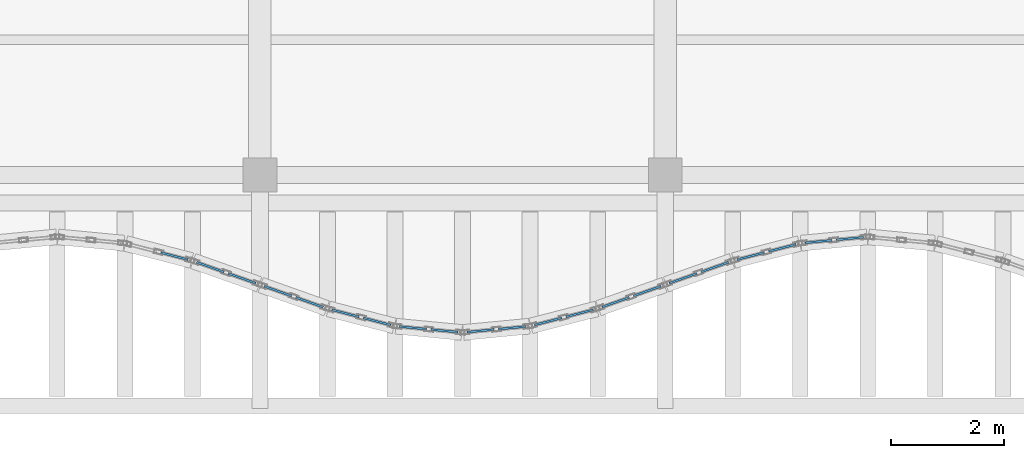
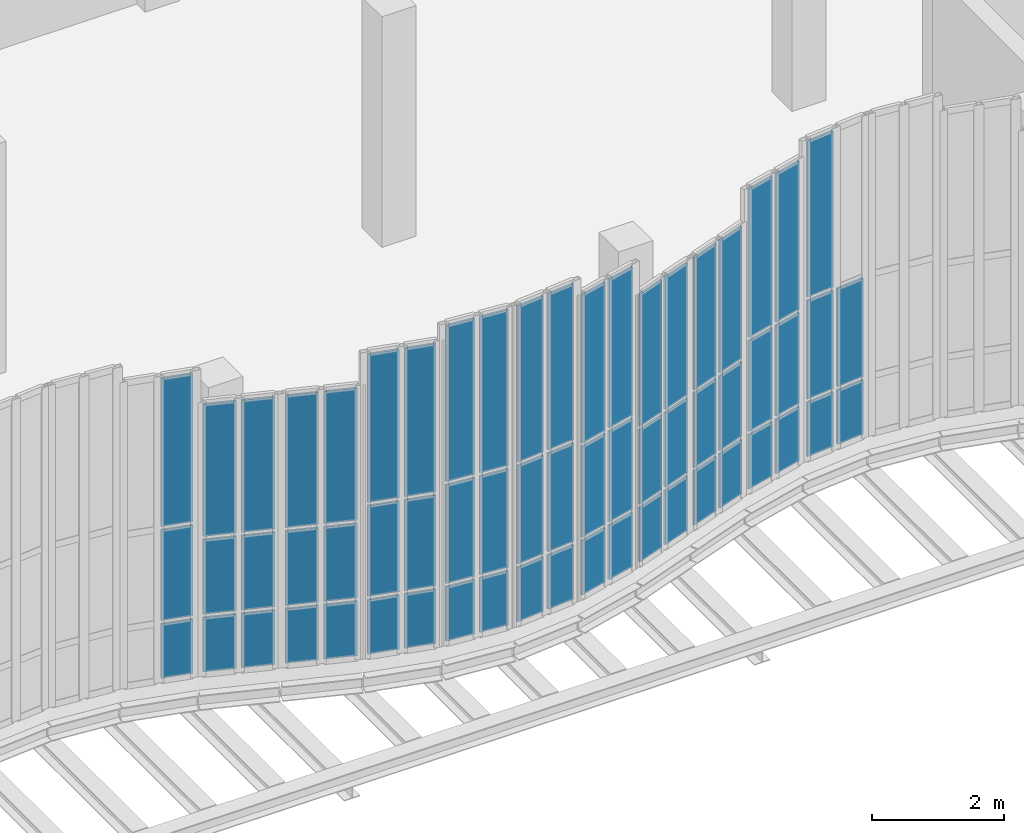
# One storey, part 50 of 76: 62 plates, 11 elements without a shape of their own.
"""IFC4 building model written with IfcOpenShell, lengths in metres."""

from ifc_helpers import new_model, si_unit, direction, frame, origin, origin_2d, place, context, subcontext, project, spatial, rectangle, extrude, material, layer, layer_set, type_object, element, aggregate, save


model = new_model("IFC4")

# Units and contexts
model_context = context("Model", 3, precision=1e-05, world=origin(), true_north=direction((0.0, 1.0)))
body_context = subcontext(model_context, "Body", "Model", "MODEL_VIEW")
ifc_project = project(units=[si_unit("LENGTHUNIT", "METRE"), si_unit("AREAUNIT", "SQUARE_METRE"), si_unit("VOLUMEUNIT", "CUBIC_METRE"), si_unit("PLANEANGLEUNIT", "RADIAN"), si_unit("MASSUNIT", "GRAM", prefix="KILO"), si_unit("THERMODYNAMICTEMPERATUREUNIT", "KELVIN"), si_unit("POWERUNIT", "WATT")], contexts=[model_context])

# Site, building, storey
site_placement = place(None, origin())
site = spatial("IfcSite", under=ifc_project, at=site_placement, CompositionType="ELEMENT")
building_placement = place(site_placement, origin())
building = spatial("IfcBuilding", under=site, at=building_placement, Name="Kaldorven Railside Theatre", CompositionType="ELEMENT")
storey_placement = place(building_placement, frame((0.0, 0.0, 14.39990234375)))
storey = spatial("IfcBuildingStorey", under=building, at=storey_placement, Name="L03", CompositionType="ELEMENT", Elevation=14.39990234375)

# Curtain wall, plates
ifc_material = material(Name="Low-E laminated solar-control glass", Category="glass")
ifc_layer_1 = layer(ifc_material, 0.159912109375, Name="Low-E laminated solar-control glass")
ifc_layer_set_1 = layer_set([ifc_layer_1], Name="Low-E laminated solar-control glass")
curtain_wall_type_1 = type_object("IfcCurtainWallType", Name="CWT-09", PredefinedType="USERDEFINED", material=ifc_layer_set_1)
curtain_wall_1_placement = place(storey_placement, origin())
curtain_wall_1 = element("IfcCurtainWall", 1, at=curtain_wall_1_placement, inside=storey, type_object=curtain_wall_type_1, Name="Sinusoidal Fluted Curtain Wall CW-L03-S05", ObjectType="FLUTED GLAZING", PredefinedType="USERDEFINED")
ifc_layer_2 = layer(ifc_material, 0.035888671875, Name="Low-E laminated solar-control glass")
ifc_layer_set_2 = layer_set([ifc_layer_2], Name="Low-E laminated solar-control glass")
plate_type = type_object("IfcPlateType", Name="CWP-CREST36", PredefinedType="CURTAIN_PANEL", material=ifc_layer_set_2)
plate_1_placement = place(storey_placement, frame((42.480712890625, 17.7578125, 0.06005859375), z_axis=(0.0, 0.0, 1.0), x_axis=(0.967999075505, -0.250953760326, 0.0)))
plate_1 = element("IfcPlate", 2, at=plate_1_placement, type_object=plate_type, Name="CW-L03-S05 panel 2.1", PredefinedType="CURTAIN_PANEL", context=body_context, shape_type="SweptSolid", body=[
    extrude(rectangle(XDim=0.499755859375, YDim=0.035888671875, at=origin_2d()), origin(), (0.0, 0.0, 1.0), 1.010009765625),
])
plate_2_placement = place(storey_placement, frame((42.480712890625, 17.7578125, 1.130126953125), z_axis=(0.0, 0.0, 1.0), x_axis=(0.967999075505, -0.250953760326, 0.0)))
plate_2 = element("IfcPlate", 3, at=plate_2_placement, type_object=plate_type, Name="CW-L03-S05 panel 2.2", PredefinedType="CURTAIN_PANEL", context=body_context, shape_type="SweptSolid", body=[
    extrude(rectangle(XDim=0.499755859375, YDim=0.035888671875, at=origin_2d()), origin(), (0.0, 0.0, 1.0), 1.68505859375),
])
plate_3_placement = place(storey_placement, frame((42.480712890625, 17.7578125, 2.875244140625), z_axis=(0.0, 0.0, 1.0), x_axis=(0.967999075505, -0.250953760326, 0.0)))
plate_3 = element("IfcPlate", 4, at=plate_3_placement, type_object=plate_type, Name="CW-L03-S05 panel 2.3", PredefinedType="CURTAIN_PANEL", context=body_context, shape_type="SweptSolid", body=[
    extrude(rectangle(XDim=0.499755859375, YDim=0.035888671875, at=origin_2d()), origin(), (0.0, 0.0, 1.0), 2.7548828125),
])
aggregate(curtain_wall_1, [plate_1, plate_2, plate_3])

ifc_layer_3 = layer(ifc_material, 0.159912109375, Name="Low-E laminated solar-control glass")
ifc_layer_set_3 = layer_set([ifc_layer_3], Name="Low-E laminated solar-control glass")
curtain_wall_type_2 = type_object("IfcCurtainWallType", Name="CWT-08", PredefinedType="USERDEFINED", material=ifc_layer_set_3)
curtain_wall_2_placement = place(storey_placement, origin())
curtain_wall_2 = element("IfcCurtainWall", 5, at=curtain_wall_2_placement, inside=storey, type_object=curtain_wall_type_2, Name="Sinusoidal Fluted Curtain Wall CW-L03-S06", ObjectType="FLUTED GLAZING", PredefinedType="USERDEFINED")
plate_4_placement = place(storey_placement, frame((43.118896484375, 17.56201171875, 0.06005859375), z_axis=(0.0, 0.0, 1.0), x_axis=(0.942627225159, -0.33384714225, 0.0)))
plate_4 = element("IfcPlate", 6, at=plate_4_placement, type_object=plate_type, Name="CW-L03-S06 panel 1.1", PredefinedType="CURTAIN_PANEL", context=body_context, shape_type="SweptSolid", body=[
    extrude(rectangle(XDim=0.5166015625, YDim=0.035888671875, at=origin_2d()), origin(), (0.0, 0.0, 1.0), 1.010009765625),
])
plate_5_placement = place(storey_placement, frame((43.118896484375, 17.56201171875, 1.1298828125), z_axis=(0.0, 0.0, 1.0), x_axis=(0.942627225159, -0.33384714225, 0.0)))
plate_5 = element("IfcPlate", 7, at=plate_5_placement, type_object=plate_type, Name="CW-L03-S06 panel 1.2", PredefinedType="CURTAIN_PANEL", context=body_context, shape_type="SweptSolid", body=[
    extrude(rectangle(XDim=0.5166015625, YDim=0.035888671875, at=origin_2d()), origin(), (0.0, 0.0, 1.0), 1.385009765625),
])
plate_6_placement = place(storey_placement, frame((43.118896484375, 17.56201171875, 2.574951171875), z_axis=(0.0, 0.0, 1.0), x_axis=(0.942627225159, -0.33384714225, 0.0)))
plate_6 = element("IfcPlate", 8, at=plate_6_placement, type_object=plate_type, Name="CW-L03-S06 panel 1.3", PredefinedType="CURTAIN_PANEL", context=body_context, shape_type="SweptSolid", body=[
    extrude(rectangle(XDim=0.5166015625, YDim=0.035888671875, at=origin_2d()), origin(), (0.0, 0.0, 1.0), 2.455078125),
])
plate_7_placement = place(storey_placement, frame((43.68115234375, 17.363037109375, 0.06005859375), z_axis=(0.0, 0.0, 1.0), x_axis=(0.942627225159, -0.33384714225, 0.0)))
plate_7 = element("IfcPlate", 9, at=plate_7_placement, type_object=plate_type, Name="CW-L03-S06 panel 2.1", PredefinedType="CURTAIN_PANEL", context=body_context, shape_type="SweptSolid", body=[
    extrude(rectangle(XDim=0.5166015625, YDim=0.035888671875, at=origin_2d()), origin(), (0.0, 0.0, 1.0), 1.010009765625),
])
plate_8_placement = place(storey_placement, frame((43.68115234375, 17.363037109375, 1.1298828125), z_axis=(0.0, 0.0, 1.0), x_axis=(0.942627225159, -0.33384714225, 0.0)))
plate_8 = element("IfcPlate", 10, at=plate_8_placement, type_object=plate_type, Name="CW-L03-S06 panel 2.2", PredefinedType="CURTAIN_PANEL", context=body_context, shape_type="SweptSolid", body=[
    extrude(rectangle(XDim=0.5166015625, YDim=0.035888671875, at=origin_2d()), origin(), (0.0, 0.0, 1.0), 1.385009765625),
])
plate_9_placement = place(storey_placement, frame((43.68115234375, 17.363037109375, 2.574951171875), z_axis=(0.0, 0.0, 1.0), x_axis=(0.942627225159, -0.33384714225, 0.0)))
plate_9 = element("IfcPlate", 11, at=plate_9_placement, type_object=plate_type, Name="CW-L03-S06 panel 2.3", PredefinedType="CURTAIN_PANEL", context=body_context, shape_type="SweptSolid", body=[
    extrude(rectangle(XDim=0.5166015625, YDim=0.035888671875, at=origin_2d()), origin(), (0.0, 0.0, 1.0), 2.455078125),
])
aggregate(curtain_wall_2, [plate_4, plate_5, plate_6, plate_7, plate_8, plate_9])

curtain_wall_3_placement = place(storey_placement, origin())
curtain_wall_3 = element("IfcCurtainWall", 12, at=curtain_wall_3_placement, inside=storey, type_object=curtain_wall_type_2, Name="Sinusoidal Fluted Curtain Wall CW-L03-S07", ObjectType="FLUTED GLAZING", PredefinedType="USERDEFINED")
plate_10_placement = place(storey_placement, frame((44.31884765625, 17.136962890625, 0.06005859375), z_axis=(0.0, 0.0, 1.0), x_axis=(0.942627225159, -0.33384714225, 0.0)))
plate_10 = element("IfcPlate", 13, at=plate_10_placement, type_object=plate_type, Name="CW-L03-S07 panel 1.1", PredefinedType="CURTAIN_PANEL", context=body_context, shape_type="SweptSolid", body=[
    extrude(rectangle(XDim=0.5166015625, YDim=0.035888671875, at=origin_2d()), origin(), (0.0, 0.0, 1.0), 1.010009765625),
])
plate_11_placement = place(storey_placement, frame((44.31884765625, 17.136962890625, 1.1298828125), z_axis=(0.0, 0.0, 1.0), x_axis=(0.942627225159, -0.33384714225, 0.0)))
plate_11 = element("IfcPlate", 14, at=plate_11_placement, type_object=plate_type, Name="CW-L03-S07 panel 1.2", PredefinedType="CURTAIN_PANEL", context=body_context, shape_type="SweptSolid", body=[
    extrude(rectangle(XDim=0.5166015625, YDim=0.035888671875, at=origin_2d()), origin(), (0.0, 0.0, 1.0), 1.385009765625),
])
plate_12_placement = place(storey_placement, frame((44.31884765625, 17.136962890625, 2.574951171875), z_axis=(0.0, 0.0, 1.0), x_axis=(0.942627225159, -0.33384714225, 0.0)))
plate_12 = element("IfcPlate", 15, at=plate_12_placement, type_object=plate_type, Name="CW-L03-S07 panel 1.3", PredefinedType="CURTAIN_PANEL", context=body_context, shape_type="SweptSolid", body=[
    extrude(rectangle(XDim=0.5166015625, YDim=0.035888671875, at=origin_2d()), origin(), (0.0, 0.0, 1.0), 2.455078125),
])
plate_13_placement = place(storey_placement, frame((44.881103515625, 16.93798828125, 0.06005859375), z_axis=(0.0, 0.0, 1.0), x_axis=(0.942627225159, -0.33384714225, 0.0)))
plate_13 = element("IfcPlate", 16, at=plate_13_placement, type_object=plate_type, Name="CW-L03-S07 panel 2.1", PredefinedType="CURTAIN_PANEL", context=body_context, shape_type="SweptSolid", body=[
    extrude(rectangle(XDim=0.5166015625, YDim=0.035888671875, at=origin_2d()), origin(), (0.0, 0.0, 1.0), 1.010009765625),
])
plate_14_placement = place(storey_placement, frame((44.881103515625, 16.93798828125, 1.1298828125), z_axis=(0.0, 0.0, 1.0), x_axis=(0.942627225159, -0.33384714225, 0.0)))
plate_14 = element("IfcPlate", 17, at=plate_14_placement, type_object=plate_type, Name="CW-L03-S07 panel 2.2", PredefinedType="CURTAIN_PANEL", context=body_context, shape_type="SweptSolid", body=[
    extrude(rectangle(XDim=0.5166015625, YDim=0.035888671875, at=origin_2d()), origin(), (0.0, 0.0, 1.0), 1.385009765625),
])
plate_15_placement = place(storey_placement, frame((44.881103515625, 16.93798828125, 2.574951171875), z_axis=(0.0, 0.0, 1.0), x_axis=(0.942627225159, -0.33384714225, 0.0)))
plate_15 = element("IfcPlate", 18, at=plate_15_placement, type_object=plate_type, Name="CW-L03-S07 panel 2.3", PredefinedType="CURTAIN_PANEL", context=body_context, shape_type="SweptSolid", body=[
    extrude(rectangle(XDim=0.5166015625, YDim=0.035888671875, at=origin_2d()), origin(), (0.0, 0.0, 1.0), 2.455078125),
])
aggregate(curtain_wall_3, [plate_10, plate_11, plate_12, plate_13, plate_14, plate_15])

curtain_wall_4_placement = place(storey_placement, origin())
curtain_wall_4 = element("IfcCurtainWall", 19, at=curtain_wall_4_placement, inside=storey, type_object=curtain_wall_type_1, Name="Sinusoidal Fluted Curtain Wall CW-L03-S08", ObjectType="FLUTED GLAZING", PredefinedType="USERDEFINED")
plate_16_placement = place(storey_placement, frame((45.519287109375, 16.7421875, 0.06005859375), z_axis=(0.0, 0.0, 1.0), x_axis=(0.967999075505, -0.250953760326, 0.0)))
plate_16 = element("IfcPlate", 20, at=plate_16_placement, type_object=plate_type, Name="CW-L03-S08 panel 1.1", PredefinedType="CURTAIN_PANEL", context=body_context, shape_type="SweptSolid", body=[
    extrude(rectangle(XDim=0.499755859375, YDim=0.035888671875, at=origin_2d()), origin(), (0.0, 0.0, 1.0), 1.010009765625),
])
plate_17_placement = place(storey_placement, frame((45.519287109375, 16.7421875, 1.130126953125), z_axis=(0.0, 0.0, 1.0), x_axis=(0.967999075505, -0.250953760326, 0.0)))
plate_17 = element("IfcPlate", 21, at=plate_17_placement, type_object=plate_type, Name="CW-L03-S08 panel 1.2", PredefinedType="CURTAIN_PANEL", context=body_context, shape_type="SweptSolid", body=[
    extrude(rectangle(XDim=0.499755859375, YDim=0.035888671875, at=origin_2d()), origin(), (0.0, 0.0, 1.0), 1.68505859375),
])
plate_18_placement = place(storey_placement, frame((45.519287109375, 16.7421875, 2.875244140625), z_axis=(0.0, 0.0, 1.0), x_axis=(0.967999075505, -0.250953760326, 0.0)))
plate_18 = element("IfcPlate", 22, at=plate_18_placement, type_object=plate_type, Name="CW-L03-S08 panel 1.3", PredefinedType="CURTAIN_PANEL", context=body_context, shape_type="SweptSolid", body=[
    extrude(rectangle(XDim=0.499755859375, YDim=0.035888671875, at=origin_2d()), origin(), (0.0, 0.0, 1.0), 2.7548828125),
])
plate_19_placement = place(storey_placement, frame((46.08056640625, 16.5966796875, 0.06005859375), z_axis=(0.0, 0.0, 1.0), x_axis=(0.967999075505, -0.250953760326, 0.0)))
plate_19 = element("IfcPlate", 23, at=plate_19_placement, type_object=plate_type, Name="CW-L03-S08 panel 2.1", PredefinedType="CURTAIN_PANEL", context=body_context, shape_type="SweptSolid", body=[
    extrude(rectangle(XDim=0.499755859375, YDim=0.035888671875, at=origin_2d()), origin(), (0.0, 0.0, 1.0), 1.010009765625),
])
plate_20_placement = place(storey_placement, frame((46.08056640625, 16.5966796875, 1.130126953125), z_axis=(0.0, 0.0, 1.0), x_axis=(0.967999075505, -0.250953760326, 0.0)))
plate_20 = element("IfcPlate", 24, at=plate_20_placement, type_object=plate_type, Name="CW-L03-S08 panel 2.2", PredefinedType="CURTAIN_PANEL", context=body_context, shape_type="SweptSolid", body=[
    extrude(rectangle(XDim=0.499755859375, YDim=0.035888671875, at=origin_2d()), origin(), (0.0, 0.0, 1.0), 1.68505859375),
])
plate_21_placement = place(storey_placement, frame((46.08056640625, 16.5966796875, 2.875244140625), z_axis=(0.0, 0.0, 1.0), x_axis=(0.967999075505, -0.250953760326, 0.0)))
plate_21 = element("IfcPlate", 25, at=plate_21_placement, type_object=plate_type, Name="CW-L03-S08 panel 2.3", PredefinedType="CURTAIN_PANEL", context=body_context, shape_type="SweptSolid", body=[
    extrude(rectangle(XDim=0.499755859375, YDim=0.035888671875, at=origin_2d()), origin(), (0.0, 0.0, 1.0), 2.7548828125),
])
aggregate(curtain_wall_4, [plate_16, plate_17, plate_18, plate_19, plate_20, plate_21])

ifc_layer_4 = layer(ifc_material, 0.159912109375, Name="Low-E laminated solar-control glass")
ifc_layer_set_4 = layer_set([ifc_layer_4], Name="Low-E laminated solar-control glass")
curtain_wall_type_3 = type_object("IfcCurtainWallType", Name="CWT-10", PredefinedType="USERDEFINED", material=ifc_layer_set_4)
curtain_wall_5_placement = place(storey_placement, origin())
curtain_wall_5 = element("IfcCurtainWall", 26, at=curtain_wall_5_placement, inside=storey, type_object=curtain_wall_type_3, Name="Sinusoidal Fluted Curtain Wall CW-L03-S09", ObjectType="FLUTED GLAZING", PredefinedType="USERDEFINED")
plate_22_placement = place(storey_placement, frame((46.719970703125, 16.483642578125, 0.06005859375), z_axis=(0.0, 0.0, 1.0), x_axis=(0.995525623425, -0.094491973758, 0.0)))
plate_22 = element("IfcPlate", 27, at=plate_22_placement, type_object=plate_type, Name="CW-L03-S09 panel 1.1", PredefinedType="CURTAIN_PANEL", context=body_context, shape_type="SweptSolid", body=[
    extrude(rectangle(XDim=0.482666015625, YDim=0.035888671875, at=origin_2d()), origin(), (0.0, 0.0, 1.0), 1.010009765625),
])
plate_23_placement = place(storey_placement, frame((46.719970703125, 16.483642578125, 1.130126953125), z_axis=(0.0, 0.0, 1.0), x_axis=(0.995525623425, -0.094491973758, 0.0)))
plate_23 = element("IfcPlate", 28, at=plate_23_placement, type_object=plate_type, Name="CW-L03-S09 panel 1.2", PredefinedType="CURTAIN_PANEL", context=body_context, shape_type="SweptSolid", body=[
    extrude(rectangle(XDim=0.482666015625, YDim=0.035888671875, at=origin_2d()), origin(), (0.0, 0.0, 1.0), 1.830078125),
])
plate_24_placement = place(storey_placement, frame((46.719970703125, 16.483642578125, 3.020263671875), z_axis=(0.0, 0.0, 1.0), x_axis=(0.995525623425, -0.094491973758, 0.0)))
plate_24 = element("IfcPlate", 29, at=plate_24_placement, type_object=plate_type, Name="CW-L03-S09 panel 1.3", PredefinedType="CURTAIN_PANEL", context=body_context, shape_type="SweptSolid", body=[
    extrude(rectangle(XDim=0.482666015625, YDim=0.035888671875, at=origin_2d()), origin(), (0.0, 0.0, 1.0), 2.89990234375),
])
plate_25_placement = place(storey_placement, frame((47.280029296875, 16.430419921875, 0.06005859375), z_axis=(0.0, 0.0, 1.0), x_axis=(0.995525623425, -0.094491973758, 0.0)))
plate_25 = element("IfcPlate", 30, at=plate_25_placement, type_object=plate_type, Name="CW-L03-S09 panel 2.1", PredefinedType="CURTAIN_PANEL", context=body_context, shape_type="SweptSolid", body=[
    extrude(rectangle(XDim=0.482666015625, YDim=0.035888671875, at=origin_2d()), origin(), (0.0, 0.0, 1.0), 1.010009765625),
])
plate_26_placement = place(storey_placement, frame((47.280029296875, 16.430419921875, 1.130126953125), z_axis=(0.0, 0.0, 1.0), x_axis=(0.995525623425, -0.094491973758, 0.0)))
plate_26 = element("IfcPlate", 31, at=plate_26_placement, type_object=plate_type, Name="CW-L03-S09 panel 2.2", PredefinedType="CURTAIN_PANEL", context=body_context, shape_type="SweptSolid", body=[
    extrude(rectangle(XDim=0.482666015625, YDim=0.035888671875, at=origin_2d()), origin(), (0.0, 0.0, 1.0), 1.830078125),
])
plate_27_placement = place(storey_placement, frame((47.280029296875, 16.430419921875, 3.020263671875), z_axis=(0.0, 0.0, 1.0), x_axis=(0.995525623425, -0.094491973758, 0.0)))
plate_27 = element("IfcPlate", 32, at=plate_27_placement, type_object=plate_type, Name="CW-L03-S09 panel 2.3", PredefinedType="CURTAIN_PANEL", context=body_context, shape_type="SweptSolid", body=[
    extrude(rectangle(XDim=0.482666015625, YDim=0.035888671875, at=origin_2d()), origin(), (0.0, 0.0, 1.0), 2.89990234375),
])
aggregate(curtain_wall_5, [plate_22, plate_23, plate_24, plate_25, plate_26, plate_27])

curtain_wall_6_placement = place(storey_placement, origin())
curtain_wall_6 = element("IfcCurtainWall", 33, at=curtain_wall_6_placement, inside=storey, type_object=curtain_wall_type_3, Name="Sinusoidal Fluted Curtain Wall CW-L03-S10", ObjectType="FLUTED GLAZING", PredefinedType="USERDEFINED")
plate_28_placement = place(storey_placement, frame((47.919921875, 16.430419921875, 0.06005859375), z_axis=(0.0, 0.0, 1.0), x_axis=(0.995525623425, 0.094491973758, 0.0)))
plate_28 = element("IfcPlate", 34, at=plate_28_placement, type_object=plate_type, Name="CW-L03-S10 panel 1.1", PredefinedType="CURTAIN_PANEL", context=body_context, shape_type="SweptSolid", body=[
    extrude(rectangle(XDim=0.482666015625, YDim=0.035888671875, at=origin_2d()), origin(), (0.0, 0.0, 1.0), 1.010009765625),
])
plate_29_placement = place(storey_placement, frame((47.919921875, 16.430419921875, 1.130126953125), z_axis=(0.0, 0.0, 1.0), x_axis=(0.995525623425, 0.094491973758, 0.0)))
plate_29 = element("IfcPlate", 35, at=plate_29_placement, type_object=plate_type, Name="CW-L03-S10 panel 1.2", PredefinedType="CURTAIN_PANEL", context=body_context, shape_type="SweptSolid", body=[
    extrude(rectangle(XDim=0.482666015625, YDim=0.035888671875, at=origin_2d()), origin(), (0.0, 0.0, 1.0), 1.830078125),
])
plate_30_placement = place(storey_placement, frame((47.919921875, 16.430419921875, 3.020263671875), z_axis=(0.0, 0.0, 1.0), x_axis=(0.995525623425, 0.094491973758, 0.0)))
plate_30 = element("IfcPlate", 36, at=plate_30_placement, type_object=plate_type, Name="CW-L03-S10 panel 1.3", PredefinedType="CURTAIN_PANEL", context=body_context, shape_type="SweptSolid", body=[
    extrude(rectangle(XDim=0.482666015625, YDim=0.035888671875, at=origin_2d()), origin(), (0.0, 0.0, 1.0), 2.89990234375),
])
plate_31_placement = place(storey_placement, frame((48.47998046875, 16.483642578125, 0.06005859375), z_axis=(0.0, 0.0, 1.0), x_axis=(0.995525623425, 0.094491973758, 0.0)))
plate_31 = element("IfcPlate", 37, at=plate_31_placement, type_object=plate_type, Name="CW-L03-S10 panel 2.1", PredefinedType="CURTAIN_PANEL", context=body_context, shape_type="SweptSolid", body=[
    extrude(rectangle(XDim=0.482666015625, YDim=0.035888671875, at=origin_2d()), origin(), (0.0, 0.0, 1.0), 1.010009765625),
])
plate_32_placement = place(storey_placement, frame((48.47998046875, 16.483642578125, 1.130126953125), z_axis=(0.0, 0.0, 1.0), x_axis=(0.995525623425, 0.094491973758, 0.0)))
plate_32 = element("IfcPlate", 38, at=plate_32_placement, type_object=plate_type, Name="CW-L03-S10 panel 2.2", PredefinedType="CURTAIN_PANEL", context=body_context, shape_type="SweptSolid", body=[
    extrude(rectangle(XDim=0.482666015625, YDim=0.035888671875, at=origin_2d()), origin(), (0.0, 0.0, 1.0), 1.830078125),
])
plate_33_placement = place(storey_placement, frame((48.47998046875, 16.483642578125, 3.020263671875), z_axis=(0.0, 0.0, 1.0), x_axis=(0.995525623425, 0.094491973758, 0.0)))
plate_33 = element("IfcPlate", 39, at=plate_33_placement, type_object=plate_type, Name="CW-L03-S10 panel 2.3", PredefinedType="CURTAIN_PANEL", context=body_context, shape_type="SweptSolid", body=[
    extrude(rectangle(XDim=0.482666015625, YDim=0.035888671875, at=origin_2d()), origin(), (0.0, 0.0, 1.0), 2.89990234375),
])
aggregate(curtain_wall_6, [plate_28, plate_29, plate_30, plate_31, plate_32, plate_33])

curtain_wall_7_placement = place(storey_placement, origin())
curtain_wall_7 = element("IfcCurtainWall", 40, at=curtain_wall_7_placement, inside=storey, type_object=curtain_wall_type_1, Name="Sinusoidal Fluted Curtain Wall CW-L03-S11", ObjectType="FLUTED GLAZING", PredefinedType="USERDEFINED")
plate_34_placement = place(storey_placement, frame((49.119384765625, 16.5966796875, 0.06005859375), z_axis=(0.0, 0.0, 1.0), x_axis=(0.967999075505, 0.250953760326, 0.0)))
plate_34 = element("IfcPlate", 41, at=plate_34_placement, type_object=plate_type, Name="CW-L03-S11 panel 1.1", PredefinedType="CURTAIN_PANEL", context=body_context, shape_type="SweptSolid", body=[
    extrude(rectangle(XDim=0.499755859375, YDim=0.035888671875, at=origin_2d()), origin(), (0.0, 0.0, 1.0), 1.010009765625),
])
plate_35_placement = place(storey_placement, frame((49.119384765625, 16.5966796875, 1.130126953125), z_axis=(0.0, 0.0, 1.0), x_axis=(0.967999075505, 0.250953760326, 0.0)))
plate_35 = element("IfcPlate", 42, at=plate_35_placement, type_object=plate_type, Name="CW-L03-S11 panel 1.2", PredefinedType="CURTAIN_PANEL", context=body_context, shape_type="SweptSolid", body=[
    extrude(rectangle(XDim=0.499755859375, YDim=0.035888671875, at=origin_2d()), origin(), (0.0, 0.0, 1.0), 1.68505859375),
])
plate_36_placement = place(storey_placement, frame((49.119384765625, 16.5966796875, 2.875244140625), z_axis=(0.0, 0.0, 1.0), x_axis=(0.967999075505, 0.250953760326, 0.0)))
plate_36 = element("IfcPlate", 43, at=plate_36_placement, type_object=plate_type, Name="CW-L03-S11 panel 1.3", PredefinedType="CURTAIN_PANEL", context=body_context, shape_type="SweptSolid", body=[
    extrude(rectangle(XDim=0.499755859375, YDim=0.035888671875, at=origin_2d()), origin(), (0.0, 0.0, 1.0), 2.7548828125),
])
plate_37_placement = place(storey_placement, frame((49.6806640625, 16.7421875, 0.06005859375), z_axis=(0.0, 0.0, 1.0), x_axis=(0.967999075505, 0.250953760326, 0.0)))
plate_37 = element("IfcPlate", 44, at=plate_37_placement, type_object=plate_type, Name="CW-L03-S11 panel 2.1", PredefinedType="CURTAIN_PANEL", context=body_context, shape_type="SweptSolid", body=[
    extrude(rectangle(XDim=0.499755859375, YDim=0.035888671875, at=origin_2d()), origin(), (0.0, 0.0, 1.0), 1.010009765625),
])
plate_38_placement = place(storey_placement, frame((49.6806640625, 16.7421875, 1.130126953125), z_axis=(0.0, 0.0, 1.0), x_axis=(0.967999075505, 0.250953760326, 0.0)))
plate_38 = element("IfcPlate", 45, at=plate_38_placement, type_object=plate_type, Name="CW-L03-S11 panel 2.2", PredefinedType="CURTAIN_PANEL", context=body_context, shape_type="SweptSolid", body=[
    extrude(rectangle(XDim=0.499755859375, YDim=0.035888671875, at=origin_2d()), origin(), (0.0, 0.0, 1.0), 1.68505859375),
])
plate_39_placement = place(storey_placement, frame((49.6806640625, 16.7421875, 2.875244140625), z_axis=(0.0, 0.0, 1.0), x_axis=(0.967999075505, 0.250953760326, 0.0)))
plate_39 = element("IfcPlate", 46, at=plate_39_placement, type_object=plate_type, Name="CW-L03-S11 panel 2.3", PredefinedType="CURTAIN_PANEL", context=body_context, shape_type="SweptSolid", body=[
    extrude(rectangle(XDim=0.499755859375, YDim=0.035888671875, at=origin_2d()), origin(), (0.0, 0.0, 1.0), 2.7548828125),
])
aggregate(curtain_wall_7, [plate_34, plate_35, plate_36, plate_37, plate_38, plate_39])

curtain_wall_8_placement = place(storey_placement, origin())
curtain_wall_8 = element("IfcCurtainWall", 47, at=curtain_wall_8_placement, inside=storey, type_object=curtain_wall_type_2, Name="Sinusoidal Fluted Curtain Wall CW-L03-S12", ObjectType="FLUTED GLAZING", PredefinedType="USERDEFINED")
plate_40_placement = place(storey_placement, frame((50.31884765625, 16.93798828125, 0.06005859375), z_axis=(0.0, 0.0, 1.0), x_axis=(0.942627225159, 0.33384714225, 0.0)))
plate_40 = element("IfcPlate", 48, at=plate_40_placement, type_object=plate_type, Name="CW-L03-S12 panel 1.1", PredefinedType="CURTAIN_PANEL", context=body_context, shape_type="SweptSolid", body=[
    extrude(rectangle(XDim=0.5166015625, YDim=0.035888671875, at=origin_2d()), origin(), (0.0, 0.0, 1.0), 1.010009765625),
])
plate_41_placement = place(storey_placement, frame((50.31884765625, 16.93798828125, 1.1298828125), z_axis=(0.0, 0.0, 1.0), x_axis=(0.942627225159, 0.33384714225, 0.0)))
plate_41 = element("IfcPlate", 49, at=plate_41_placement, type_object=plate_type, Name="CW-L03-S12 panel 1.2", PredefinedType="CURTAIN_PANEL", context=body_context, shape_type="SweptSolid", body=[
    extrude(rectangle(XDim=0.5166015625, YDim=0.035888671875, at=origin_2d()), origin(), (0.0, 0.0, 1.0), 1.385009765625),
])
plate_42_placement = place(storey_placement, frame((50.31884765625, 16.93798828125, 2.574951171875), z_axis=(0.0, 0.0, 1.0), x_axis=(0.942627225159, 0.33384714225, 0.0)))
plate_42 = element("IfcPlate", 50, at=plate_42_placement, type_object=plate_type, Name="CW-L03-S12 panel 1.3", PredefinedType="CURTAIN_PANEL", context=body_context, shape_type="SweptSolid", body=[
    extrude(rectangle(XDim=0.5166015625, YDim=0.035888671875, at=origin_2d()), origin(), (0.0, 0.0, 1.0), 2.455078125),
])
plate_43_placement = place(storey_placement, frame((50.881103515625, 17.136962890625, 0.06005859375), z_axis=(0.0, 0.0, 1.0), x_axis=(0.942627225159, 0.33384714225, 0.0)))
plate_43 = element("IfcPlate", 51, at=plate_43_placement, type_object=plate_type, Name="CW-L03-S12 panel 2.1", PredefinedType="CURTAIN_PANEL", context=body_context, shape_type="SweptSolid", body=[
    extrude(rectangle(XDim=0.5166015625, YDim=0.035888671875, at=origin_2d()), origin(), (0.0, 0.0, 1.0), 1.010009765625),
])
plate_44_placement = place(storey_placement, frame((50.881103515625, 17.136962890625, 1.1298828125), z_axis=(0.0, 0.0, 1.0), x_axis=(0.942627225159, 0.33384714225, 0.0)))
plate_44 = element("IfcPlate", 52, at=plate_44_placement, type_object=plate_type, Name="CW-L03-S12 panel 2.2", PredefinedType="CURTAIN_PANEL", context=body_context, shape_type="SweptSolid", body=[
    extrude(rectangle(XDim=0.5166015625, YDim=0.035888671875, at=origin_2d()), origin(), (0.0, 0.0, 1.0), 1.385009765625),
])
plate_45_placement = place(storey_placement, frame((50.881103515625, 17.136962890625, 2.574951171875), z_axis=(0.0, 0.0, 1.0), x_axis=(0.942627225159, 0.33384714225, 0.0)))
plate_45 = element("IfcPlate", 53, at=plate_45_placement, type_object=plate_type, Name="CW-L03-S12 panel 2.3", PredefinedType="CURTAIN_PANEL", context=body_context, shape_type="SweptSolid", body=[
    extrude(rectangle(XDim=0.5166015625, YDim=0.035888671875, at=origin_2d()), origin(), (0.0, 0.0, 1.0), 2.455078125),
])
aggregate(curtain_wall_8, [plate_40, plate_41, plate_42, plate_43, plate_44, plate_45])

curtain_wall_9_placement = place(storey_placement, origin())
curtain_wall_9 = element("IfcCurtainWall", 54, at=curtain_wall_9_placement, inside=storey, type_object=curtain_wall_type_2, Name="Sinusoidal Fluted Curtain Wall CW-L03-S13", ObjectType="FLUTED GLAZING", PredefinedType="USERDEFINED")
plate_46_placement = place(storey_placement, frame((51.518798828125, 17.363037109375, 0.06005859375), z_axis=(0.0, 0.0, 1.0), x_axis=(0.942627225159, 0.33384714225, 0.0)))
plate_46 = element("IfcPlate", 55, at=plate_46_placement, type_object=plate_type, Name="CW-L03-S13 panel 1.1", PredefinedType="CURTAIN_PANEL", context=body_context, shape_type="SweptSolid", body=[
    extrude(rectangle(XDim=0.5166015625, YDim=0.035888671875, at=origin_2d()), origin(), (0.0, 0.0, 1.0), 1.010009765625),
])
plate_47_placement = place(storey_placement, frame((51.518798828125, 17.363037109375, 1.1298828125), z_axis=(0.0, 0.0, 1.0), x_axis=(0.942627225159, 0.33384714225, 0.0)))
plate_47 = element("IfcPlate", 56, at=plate_47_placement, type_object=plate_type, Name="CW-L03-S13 panel 1.2", PredefinedType="CURTAIN_PANEL", context=body_context, shape_type="SweptSolid", body=[
    extrude(rectangle(XDim=0.5166015625, YDim=0.035888671875, at=origin_2d()), origin(), (0.0, 0.0, 1.0), 1.385009765625),
])
plate_48_placement = place(storey_placement, frame((51.518798828125, 17.363037109375, 2.574951171875), z_axis=(0.0, 0.0, 1.0), x_axis=(0.942627225159, 0.33384714225, 0.0)))
plate_48 = element("IfcPlate", 57, at=plate_48_placement, type_object=plate_type, Name="CW-L03-S13 panel 1.3", PredefinedType="CURTAIN_PANEL", context=body_context, shape_type="SweptSolid", body=[
    extrude(rectangle(XDim=0.5166015625, YDim=0.035888671875, at=origin_2d()), origin(), (0.0, 0.0, 1.0), 2.455078125),
])
plate_49_placement = place(storey_placement, frame((52.0810546875, 17.56201171875, 0.06005859375), z_axis=(0.0, 0.0, 1.0), x_axis=(0.942627225159, 0.33384714225, 0.0)))
plate_49 = element("IfcPlate", 58, at=plate_49_placement, type_object=plate_type, Name="CW-L03-S13 panel 2.1", PredefinedType="CURTAIN_PANEL", context=body_context, shape_type="SweptSolid", body=[
    extrude(rectangle(XDim=0.5166015625, YDim=0.035888671875, at=origin_2d()), origin(), (0.0, 0.0, 1.0), 1.010009765625),
])
plate_50_placement = place(storey_placement, frame((52.0810546875, 17.56201171875, 1.1298828125), z_axis=(0.0, 0.0, 1.0), x_axis=(0.942627225159, 0.33384714225, 0.0)))
plate_50 = element("IfcPlate", 59, at=plate_50_placement, type_object=plate_type, Name="CW-L03-S13 panel 2.2", PredefinedType="CURTAIN_PANEL", context=body_context, shape_type="SweptSolid", body=[
    extrude(rectangle(XDim=0.5166015625, YDim=0.035888671875, at=origin_2d()), origin(), (0.0, 0.0, 1.0), 1.385009765625),
])
plate_51_placement = place(storey_placement, frame((52.0810546875, 17.56201171875, 2.574951171875), z_axis=(0.0, 0.0, 1.0), x_axis=(0.942627225159, 0.33384714225, 0.0)))
plate_51 = element("IfcPlate", 60, at=plate_51_placement, type_object=plate_type, Name="CW-L03-S13 panel 2.3", PredefinedType="CURTAIN_PANEL", context=body_context, shape_type="SweptSolid", body=[
    extrude(rectangle(XDim=0.5166015625, YDim=0.035888671875, at=origin_2d()), origin(), (0.0, 0.0, 1.0), 2.455078125),
])
aggregate(curtain_wall_9, [plate_46, plate_47, plate_48, plate_49, plate_50, plate_51])

curtain_wall_10_placement = place(storey_placement, origin())
curtain_wall_10 = element("IfcCurtainWall", 61, at=curtain_wall_10_placement, inside=storey, type_object=curtain_wall_type_1, Name="Sinusoidal Fluted Curtain Wall CW-L03-S14", ObjectType="FLUTED GLAZING", PredefinedType="USERDEFINED")
plate_52_placement = place(storey_placement, frame((52.71923828125, 17.7578125, 0.06005859375), z_axis=(0.0, 0.0, 1.0), x_axis=(0.967999075505, 0.250953760326, 0.0)))
plate_52 = element("IfcPlate", 62, at=plate_52_placement, type_object=plate_type, Name="CW-L03-S14 panel 1.1", PredefinedType="CURTAIN_PANEL", context=body_context, shape_type="SweptSolid", body=[
    extrude(rectangle(XDim=0.499755859375, YDim=0.035888671875, at=origin_2d()), origin(), (0.0, 0.0, 1.0), 1.010009765625),
])
plate_53_placement = place(storey_placement, frame((52.71923828125, 17.7578125, 1.130126953125), z_axis=(0.0, 0.0, 1.0), x_axis=(0.967999075505, 0.250953760326, 0.0)))
plate_53 = element("IfcPlate", 63, at=plate_53_placement, type_object=plate_type, Name="CW-L03-S14 panel 1.2", PredefinedType="CURTAIN_PANEL", context=body_context, shape_type="SweptSolid", body=[
    extrude(rectangle(XDim=0.499755859375, YDim=0.035888671875, at=origin_2d()), origin(), (0.0, 0.0, 1.0), 1.68505859375),
])
plate_54_placement = place(storey_placement, frame((52.71923828125, 17.7578125, 2.875244140625), z_axis=(0.0, 0.0, 1.0), x_axis=(0.967999075505, 0.250953760326, 0.0)))
plate_54 = element("IfcPlate", 64, at=plate_54_placement, type_object=plate_type, Name="CW-L03-S14 panel 1.3", PredefinedType="CURTAIN_PANEL", context=body_context, shape_type="SweptSolid", body=[
    extrude(rectangle(XDim=0.499755859375, YDim=0.035888671875, at=origin_2d()), origin(), (0.0, 0.0, 1.0), 2.7548828125),
])
plate_55_placement = place(storey_placement, frame((53.28076171875, 17.9033203125, 0.06005859375), z_axis=(0.0, 0.0, 1.0), x_axis=(0.967999075505, 0.250953760326, 0.0)))
plate_55 = element("IfcPlate", 65, at=plate_55_placement, type_object=plate_type, Name="CW-L03-S14 panel 2.1", PredefinedType="CURTAIN_PANEL", context=body_context, shape_type="SweptSolid", body=[
    extrude(rectangle(XDim=0.499755859375, YDim=0.035888671875, at=origin_2d()), origin(), (0.0, 0.0, 1.0), 1.010009765625),
])
plate_56_placement = place(storey_placement, frame((53.28076171875, 17.9033203125, 1.130126953125), z_axis=(0.0, 0.0, 1.0), x_axis=(0.967999075505, 0.250953760326, 0.0)))
plate_56 = element("IfcPlate", 66, at=plate_56_placement, type_object=plate_type, Name="CW-L03-S14 panel 2.2", PredefinedType="CURTAIN_PANEL", context=body_context, shape_type="SweptSolid", body=[
    extrude(rectangle(XDim=0.499755859375, YDim=0.035888671875, at=origin_2d()), origin(), (0.0, 0.0, 1.0), 1.68505859375),
])
plate_57_placement = place(storey_placement, frame((53.28076171875, 17.9033203125, 2.875244140625), z_axis=(0.0, 0.0, 1.0), x_axis=(0.967999075505, 0.250953760326, 0.0)))
plate_57 = element("IfcPlate", 67, at=plate_57_placement, type_object=plate_type, Name="CW-L03-S14 panel 2.3", PredefinedType="CURTAIN_PANEL", context=body_context, shape_type="SweptSolid", body=[
    extrude(rectangle(XDim=0.499755859375, YDim=0.035888671875, at=origin_2d()), origin(), (0.0, 0.0, 1.0), 2.7548828125),
])
aggregate(curtain_wall_10, [plate_52, plate_53, plate_54, plate_55, plate_56, plate_57])

curtain_wall_11_placement = place(storey_placement, origin())
curtain_wall_11 = element("IfcCurtainWall", 68, at=curtain_wall_11_placement, inside=storey, type_object=curtain_wall_type_3, Name="Sinusoidal Fluted Curtain Wall CW-L03-S15", ObjectType="FLUTED GLAZING", PredefinedType="USERDEFINED")
plate_58_placement = place(storey_placement, frame((53.919921875, 18.016357421875, 0.06005859375), z_axis=(0.0, 0.0, 1.0), x_axis=(0.995525623425, 0.094491973758, 0.0)))
plate_58 = element("IfcPlate", 69, at=plate_58_placement, type_object=plate_type, Name="CW-L03-S15 panel 1.1", PredefinedType="CURTAIN_PANEL", context=body_context, shape_type="SweptSolid", body=[
    extrude(rectangle(XDim=0.482666015625, YDim=0.035888671875, at=origin_2d()), origin(), (0.0, 0.0, 1.0), 1.010009765625),
])
plate_59_placement = place(storey_placement, frame((53.919921875, 18.016357421875, 1.130126953125), z_axis=(0.0, 0.0, 1.0), x_axis=(0.995525623425, 0.094491973758, 0.0)))
plate_59 = element("IfcPlate", 70, at=plate_59_placement, type_object=plate_type, Name="CW-L03-S15 panel 1.2", PredefinedType="CURTAIN_PANEL", context=body_context, shape_type="SweptSolid", body=[
    extrude(rectangle(XDim=0.482666015625, YDim=0.035888671875, at=origin_2d()), origin(), (0.0, 0.0, 1.0), 1.830078125),
])
plate_60_placement = place(storey_placement, frame((53.919921875, 18.016357421875, 3.020263671875), z_axis=(0.0, 0.0, 1.0), x_axis=(0.995525623425, 0.094491973758, 0.0)))
plate_60 = element("IfcPlate", 71, at=plate_60_placement, type_object=plate_type, Name="CW-L03-S15 panel 1.3", PredefinedType="CURTAIN_PANEL", context=body_context, shape_type="SweptSolid", body=[
    extrude(rectangle(XDim=0.482666015625, YDim=0.035888671875, at=origin_2d()), origin(), (0.0, 0.0, 1.0), 2.89990234375),
])
plate_61_placement = place(storey_placement, frame((54.47998046875, 18.069580078125, 0.06005859375), z_axis=(0.0, 0.0, 1.0), x_axis=(0.995525623425, 0.094491973758, 0.0)))
plate_61 = element("IfcPlate", 72, at=plate_61_placement, type_object=plate_type, Name="CW-L03-S15 panel 2.1", PredefinedType="CURTAIN_PANEL", context=body_context, shape_type="SweptSolid", body=[
    extrude(rectangle(XDim=0.482666015625, YDim=0.035888671875, at=origin_2d()), origin(), (0.0, 0.0, 1.0), 1.010009765625),
])
plate_62_placement = place(storey_placement, frame((54.47998046875, 18.069580078125, 1.130126953125), z_axis=(0.0, 0.0, 1.0), x_axis=(0.995525623425, 0.094491973758, 0.0)))
plate_62 = element("IfcPlate", 73, at=plate_62_placement, type_object=plate_type, Name="CW-L03-S15 panel 2.2", PredefinedType="CURTAIN_PANEL", context=body_context, shape_type="SweptSolid", body=[
    extrude(rectangle(XDim=0.482666015625, YDim=0.035888671875, at=origin_2d()), origin(), (0.0, 0.0, 1.0), 1.830078125),
])
aggregate(curtain_wall_11, [plate_58, plate_59, plate_60, plate_61, plate_62])

save(model, "model.ifc")
